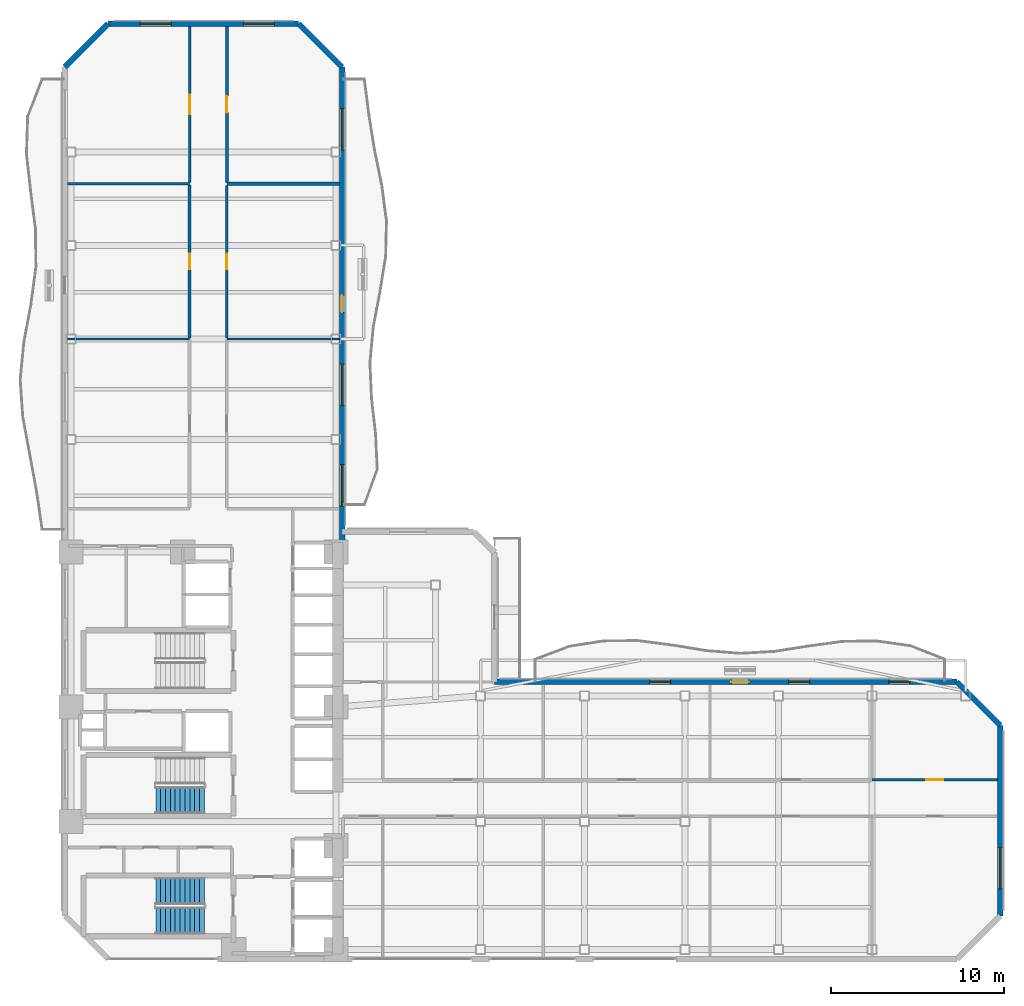
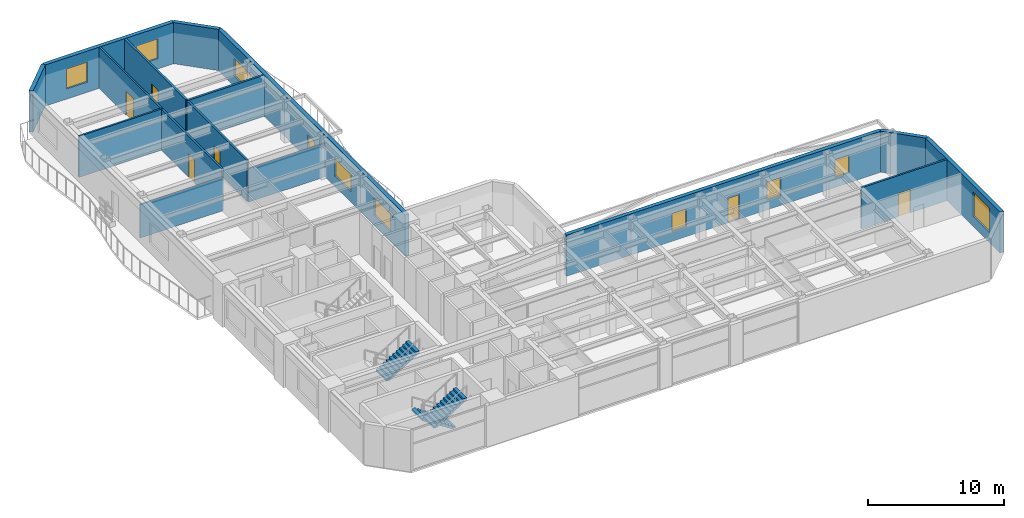
# One storey, part 12 of 17: 16 walls, 9 windows, 7 doors, 3 stair flights, 16 openings, 2 elements without a shape of their own.
"""IFC4 building model written with IfcOpenShell, lengths in metres."""

import ifcopenshell
import ifcopenshell.guid

model = None  # the IFC model being written
_history = None  # IfcOwnerHistory: only IFC2X3 demands one
_inside = {}  # id of a spatial element -> (the spatial element, [elements in it])
_under = {}  # id of a project, library or spatial element -> (it, [spatial elements below it])
_declared = {}  # id of a project -> (the project, [libraries it declares])
_typed = {}  # id of a type object -> (the type object, [elements of that type])
_made_of = {}  # id of a material, layer set ... -> (it, [elements and type objects made of it])


def new_model(schema):
    """Start an empty IFC model of exactly this schema.

    Asked for "IFC4X3", IfcOpenShell would pick the latest addendum, in which some entities
    have other attributes; the version numbers below select the first issue.
    IFC2X3 requires an IfcOwnerHistory on every rooted entity: one is made here for all.
    """
    global model, _history
    if schema == "IFC4X3":
        model = ifcopenshell.file(schema_version=(4, 3, 0, 0))
    else:
        model = ifcopenshell.file(schema=schema)
    _inside.clear()
    _under.clear()
    _declared.clear()
    _typed.clear()
    _made_of.clear()
    _history = None
    if model.schema == "IFC2X3":
        org = make("IfcOrganization", Name="unknown")
        user = make(
            "IfcPersonAndOrganization",
            ThePerson=make("IfcPerson", FamilyName="unknown"),
            TheOrganization=org,
        )
        app = make(
            "IfcApplication",
            ApplicationDeveloper=org,
            Version="unknown",
            ApplicationFullName="unknown",
            ApplicationIdentifier="unknown",
        )
        _history = make(
            "IfcOwnerHistory",
            OwningUser=user,
            OwningApplication=app,
            ChangeAction="ADDED",
            CreationDate=0,
        )
    return model


def make(cls, **values):
    """One entity of the class cls with the attributes given. An attribute that is None is left unset."""
    return model.create_entity(
        cls, **{name: value for name, value in values.items() if value is not None}
    )


def rooted(cls, **values):
    """An entity with a GlobalId (a new one), such as an element, a storey or a relation."""
    return make(cls, GlobalId=ifcopenshell.guid.new(), OwnerHistory=_history, **values)


def si_unit(unit_type, name, prefix=None):
    """IfcSIUnit, for example si_unit("LENGTHUNIT", "METRE", prefix="MILLI")."""
    return make("IfcSIUnit", UnitType=unit_type, Prefix=prefix, Name=name)


def assignment(units):
    """IfcUnitAssignment: the units of a project."""
    return None if units is None else make("IfcUnitAssignment", Units=units)


def point(xyz):
    """IfcCartesianPoint."""
    return None if xyz is None else make("IfcCartesianPoint", Coordinates=xyz)


def direction(xyz):
    """IfcDirection."""
    return None if xyz is None else make("IfcDirection", DirectionRatios=xyz)


def frame(location, z_axis=None, x_axis=None):
    """IfcAxis2Placement3D, a coordinate frame: its origin and axes. An axis left out is left unset."""
    return make(
        "IfcAxis2Placement3D",
        Location=point(location),
        Axis=direction(z_axis),
        RefDirection=direction(x_axis),
    )


def frame_2d(location, x_axis=None):
    """IfcAxis2Placement2D, a coordinate frame in the plane: its origin and x axis."""
    return make(
        "IfcAxis2Placement2D", Location=point(location), RefDirection=direction(x_axis)
    )


def origin():
    """The frame at (0, 0, 0) with its axes left unset."""
    return frame((0.0, 0.0, 0.0))


def place(relative_to, where):
    """IfcLocalPlacement: puts the frame where relative to a parent placement (None: the world)."""
    return make(
        "IfcLocalPlacement", PlacementRelTo=relative_to, RelativePlacement=where
    )


def context(
    kind, dimensions, precision=None, world=None, true_north=None, identifier=None
):
    """IfcGeometricRepresentationContext, for example the 3D "Model" context."""
    return make(
        "IfcGeometricRepresentationContext",
        ContextIdentifier=identifier,
        ContextType=kind,
        CoordinateSpaceDimension=dimensions,
        Precision=precision,
        WorldCoordinateSystem=world,
        TrueNorth=true_north,
    )


def subcontext(parent, identifier, kind, view, scale=None):
    """IfcGeometricRepresentationSubContext, for example "Body" below "Model"."""
    return make(
        "IfcGeometricRepresentationSubContext",
        ContextIdentifier=identifier,
        ContextType=kind,
        ParentContext=parent,
        TargetScale=scale,
        TargetView=view,
    )


def project(units=None, contexts=None):
    """IfcProject with its units and contexts."""
    return rooted(
        "IfcProject",
        Name="project",
        RepresentationContexts=contexts,
        UnitsInContext=assignment(units),
    )


def spatial(cls, under=None, at=None, **own):
    """A site, building, storey or space (cls), placed at a placement, below another one or the project."""
    s = rooted(cls, ObjectPlacement=at, **own)
    if under is not None:
        _under.setdefault(under.id(), (under, []))[1].append(s)
    return s


def polyline(points):
    """IfcPolyline through the points."""
    return make("IfcPolyline", Points=[point(p) for p in points])


def profile(cls, at=None, kind="AREA", **sizes):
    """A parametric profile (cls). Its sizes go by their IFC names, for example OverallWidth=200.0."""
    return make(cls, ProfileType=kind, Position=at, **sizes)


def rectangle(**sizes):
    """IfcRectangleProfileDef."""
    return profile("IfcRectangleProfileDef", **sizes)


def outline(outer, holes=None, kind="AREA"):
    """IfcArbitraryClosedProfileDef: a profile drawn as a closed curve; with holes, ...WithVoids."""
    if holes is None:
        return make("IfcArbitraryClosedProfileDef", ProfileType=kind, OuterCurve=outer)
    return make(
        "IfcArbitraryProfileDefWithVoids",
        ProfileType=kind,
        OuterCurve=outer,
        InnerCurves=holes,
    )


def extrude(swept, where, along, depth):
    """IfcExtrudedAreaSolid: the profile swept, set in the frame where, extruded along a direction by depth."""
    return make(
        "IfcExtrudedAreaSolid",
        SweptArea=swept,
        Position=where,
        ExtrudedDirection=direction(along),
        Depth=depth,
    )


def shape(context_of_items, identifier, shape_type, items):
    """IfcShapeRepresentation: the items that make up one representation, for example the "Body"."""
    return make(
        "IfcShapeRepresentation",
        ContextOfItems=context_of_items,
        RepresentationIdentifier=identifier,
        RepresentationType=shape_type,
        Items=items,
    )


def material(Name=None, Category=None):
    """IfcMaterial."""
    return make("IfcMaterial", Name=Name, Category=Category)


def layer(
    of_material, thickness, ventilated=None, Name=None, Category=None, Priority=None
):
    """IfcMaterialLayer: one layer of a wall or slab, of a material (None: an air gap)."""
    return make(
        "IfcMaterialLayer",
        Material=of_material,
        LayerThickness=thickness,
        IsVentilated=ventilated,
        Name=Name,
        Category=Category,
        Priority=Priority,
    )


def layer_set(layers, Name=None):
    """IfcMaterialLayerSet."""
    return make("IfcMaterialLayerSet", MaterialLayers=layers, LayerSetName=Name)


def made_of(thing, what):
    """Note that an element or type object is made of a material, layer set ...; save() writes the relation."""
    if what is not None:
        _made_of.setdefault(what.id(), (what, []))[1].append(thing)
    return thing


def type_object(cls, material=None, **own):
    """A type object (cls), such as IfcWallType, which elements share."""
    return made_of(rooted(cls, **own), material)


def element(
    cls,
    number,
    at=None,
    inside=None,
    cuts=None,
    type_object=None,
    material=None,
    context=None,
    identifier="Body",
    shape_type=None,
    held_by="IfcProductDefinitionShape",
    body=None,
    shapes=None,
    **own,
):
    """One element of the class cls, such as IfcWall. Its Tag is "e" and its number.

    at: its placement. inside: the storey or other place that contains it. cuts: it is an
    opening in that element (IfcRelVoidsElement). A single representation is given by context,
    identifier, shape_type and body (its items); several are given by shapes. held_by: the class
    of the entity that holds the representations. save() writes the other relations.
    """
    e = rooted(cls, Tag="e%d" % number, ObjectPlacement=at, **own)
    if body is not None:
        shapes = [shape(context, identifier, shape_type, body)]
    if shapes is not None:
        e.Representation = make(held_by, Representations=shapes)
    if inside is not None:
        _inside.setdefault(inside.id(), (inside, []))[1].append(e)
    if cuts is not None:
        rooted(
            "IfcRelVoidsElement", RelatingBuildingElement=cuts, RelatedOpeningElement=e
        )
    if type_object is not None:
        _typed.setdefault(type_object.id(), (type_object, []))[1].append(e)
    return made_of(e, material)


def fill(opening, filler):
    """IfcRelFillsElement: the door or window that sits in an opening."""
    return rooted(
        "IfcRelFillsElement",
        RelatingOpeningElement=opening,
        RelatedBuildingElement=filler,
    )


def aggregate(whole, parts):
    """IfcRelAggregates: a whole, such as a stair, and the parts it consists of."""
    return rooted("IfcRelAggregates", RelatingObject=whole, RelatedObjects=parts)


def save(model, path):
    """Write the relations noted so far, then the file.

    IfcRelAggregates (storeys below a building ...), IfcRelContainedInSpatialStructure (elements
    in a storey), IfcRelDefinesByType, IfcRelAssociatesMaterial and IfcRelDeclares: one each for
    every whole, place, type object, material and project.
    """
    for whole, parts in _under.values():
        aggregate(whole, parts)
    for where, things in _inside.values():
        rooted(
            "IfcRelContainedInSpatialStructure",
            RelatedElements=things,
            RelatingStructure=where,
        )
    for kind, things in _typed.values():
        rooted("IfcRelDefinesByType", RelatedObjects=things, RelatingType=kind)
    for what, things in _made_of.values():
        rooted("IfcRelAssociatesMaterial", RelatedObjects=things, RelatingMaterial=what)
    for by, libraries in _declared.values():
        rooted("IfcRelDeclares", RelatingContext=by, RelatedDefinitions=libraries)
    model.write(path)


model = new_model("IFC4")

# Units and contexts
model_context = context("Model", 3, precision=1e-05, world=origin(), true_north=direction((0.0, 1.0)))
body_context = subcontext(model_context, "Body", "Model", "MODEL_VIEW")
ifc_project = project(units=[si_unit("LENGTHUNIT", "METRE"), si_unit("AREAUNIT", "SQUARE_METRE"), si_unit("VOLUMEUNIT", "CUBIC_METRE"), si_unit("PLANEANGLEUNIT", "RADIAN"), si_unit("MASSUNIT", "GRAM", prefix="KILO")], contexts=[model_context])

# Site, building, storey
site_placement = place(None, origin())
site = spatial("IfcSite", under=ifc_project, at=site_placement, CompositionType="ELEMENT")
building_placement = place(site_placement, origin())
building = spatial("IfcBuilding", under=site, at=building_placement, Name="Mawjaban Terraces University", CompositionType="ELEMENT")
storey_placement = place(building_placement, frame((0.0, 0.0, 85.60009765625)))
storey = spatial("IfcBuildingStorey", under=building, at=storey_placement, Name="L20", CompositionType="ELEMENT", Elevation=85.60009765625)

# Wall
ifc_material_1 = material(Name="Acoustic masonry blockwork", Category="masonry")
ifc_layer_1 = layer(ifc_material_1, 0.179931640625)
ifc_layer_set_1 = layer_set([ifc_layer_1], Name="Acoustic masonry blockwork")
wall_type_1 = type_object("IfcWallType", Name="AcousticStudioWall_180", PredefinedType="PARTITIONING", material=ifc_layer_set_1)
wall_1_placement = place(storey_placement, frame((37.844970703125, 44.760009765625, 0.0), z_axis=(0.0, 0.0, 1.0), x_axis=(-1.0, 0.0, 0.0)))
element("IfcWall", 1, at=wall_1_placement, inside=storey, type_object=wall_type_1, Name="L20 Reading Salon 13 Partition 17", PredefinedType="PARTITIONING", context=body_context, shape_type="SweptSolid", body=[
    extrude(rectangle(XDim=6.494873046875, YDim=0.179931640625, at=frame_2d((3.24755859375, 0.0))), origin(), (0.0, 0.0, 1.0), 3.68994140625),
])

# Wall, opening, door
wall_2_placement = place(storey_placement, frame((31.35009765625, 44.844970703125, 0.0), z_axis=(0.0, 0.0, 1.0), x_axis=(0.0, 1.0, 0.0)))
wall_2 = element("IfcWall", 2, at=wall_2_placement, inside=storey, type_object=wall_type_1, Name="L20 North Academic Spine Corridor Partition 39", PredefinedType="PARTITIONING", context=body_context, shape_type="SweptSolid", body=[
    extrude(rectangle(XDim=9.0, YDim=0.179931640625, at=frame_2d((4.5, 0.0))), origin(), (0.0, 0.0, 1.0), 3.68994140625),
])
opening_1_placement = place(wall_2_placement, frame((4.02490234375, 0.0, 0.0)))
opening_1 = element("IfcOpeningElement", 3, at=opening_1_placement, cuts=wall_2, Name="Opening ID-095", PredefinedType="OPENING", context=body_context, shape_type="SweptSolid", body=[
    extrude(rectangle(XDim=0.949951171875, YDim=2.10009765625, at=frame_2d((0.47509765625, 1.050048828125))), frame((0.0, 0.099853515625, 0.0), z_axis=(0.0, -1.0, 0.0), x_axis=(1.0, 0.0, 0.0)), (0.0, 0.0, 1.0), 0.199951171875),
])
ifc_material_2 = material(Name="Powder-coated steel frame and solid acoustic timber leaf", Category="steel")
door_type_1 = type_object("IfcDoorType", Name="StudioDoor_950x2100", OperationType="NOTDEFINED", PredefinedType="DOOR", material=ifc_material_2)
door_1_placement = place(opening_1_placement, origin())
door_1 = element("IfcDoor", 4, at=door_1_placement, inside=storey, type_object=door_type_1, Name="L20 Design Studio 15 Door", OperationType="SINGLE_SWING_LEFT", OverallHeight=2.10009765625, OverallWidth=0.949951171875, PredefinedType="DOOR", context=body_context, shape_type="SweptSolid", body=[
    extrude(rectangle(XDim=0.949951171875, YDim=2.10009765625, at=frame_2d((0.47509765625, 1.050048828125))), frame((0.0, 0.02490234375, 0.0), z_axis=(0.0, -1.0, 0.0), x_axis=(1.0, 0.0, 0.0)), (0.0, 0.0, 1.0), 0.050048828125),
])
fill(opening_1, door_1)

ifc_material_3 = material(Name="Fire-rated gypsum board on steel stud", Category="steel")
ifc_layer_2 = layer(ifc_material_3, 0.159912109375)
ifc_layer_set_2 = layer_set([ifc_layer_2], Name="Fire-rated gypsum board on steel stud")
wall_type_2 = type_object("IfcWallType", Name="CorridorPartition_160", PredefinedType="PARTITIONING", material=ifc_layer_set_2)
wall_3_placement = place(storey_placement, frame((75.844970703125, 10.35009765625, 0.0), z_axis=(0.0, 0.0, 1.0), x_axis=(-1.0, 0.0, 0.0)))
wall_3 = element("IfcWall", 5, at=wall_3_placement, inside=storey, type_object=wall_type_2, Name="L20 East Academic Spine Corridor Partition 28", PredefinedType="PARTITIONING", context=body_context, shape_type="SweptSolid", body=[
    extrude(rectangle(XDim=7.244873046875, YDim=0.159912109375, at=frame_2d((3.62255859375, 0.0))), origin(), (0.0, 0.0, 1.0), 3.68994140625),
])
opening_2_placement = place(wall_3_placement, frame((3.123046875, 0.0, 0.0)))
opening_2 = element("IfcOpeningElement", 6, at=opening_2_placement, cuts=wall_3, Name="Opening ID-100", PredefinedType="OPENING", context=body_context, shape_type="SweptSolid", body=[
    extrude(rectangle(XDim=1.0, YDim=2.10009765625, at=frame_2d((0.5, 1.050048828125))), frame((0.0, 0.08984375, 0.0), z_axis=(0.0, -1.0, 0.0), x_axis=(1.0, 0.0, 0.0)), (0.0, 0.0, 1.0), 0.179931640625),
])
door_type_2 = type_object("IfcDoorType", Name="ClassroomDoor_1000x2100", OperationType="NOTDEFINED", PredefinedType="DOOR", material=ifc_material_2)
door_2_placement = place(opening_2_placement, origin())
door_2 = element("IfcDoor", 7, at=door_2_placement, inside=storey, type_object=door_type_2, Name="L20 Tutorial Room 9 Door", OperationType="SINGLE_SWING_LEFT", OverallHeight=2.10009765625, OverallWidth=1.0, PredefinedType="DOOR", context=body_context, shape_type="SweptSolid", body=[
    extrude(rectangle(XDim=1.0, YDim=2.10009765625, at=frame_2d((0.5, 1.050048828125))), frame((0.0, 0.02490234375, 0.0), z_axis=(0.0, -1.0, 0.0), x_axis=(1.0, 0.0, 0.0)), (0.0, 0.0, 1.0), 0.050048828125),
])
fill(opening_2, door_2)

wall_4_placement = place(storey_placement, frame((29.199951171875, 44.69189453125, 0.0), z_axis=(0.0, 0.0, 1.0), x_axis=(0.0, -1.0, 0.0)))
wall_4 = element("IfcWall", 8, at=wall_4_placement, inside=storey, type_object=wall_type_2, Name="L20 North Academic Spine Corridor Partition 35", PredefinedType="PARTITIONING", context=body_context, shape_type="SweptSolid", body=[
    extrude(rectangle(XDim=8.8349609375, YDim=0.159912109375, at=frame_2d((4.41748046875, 0.0))), origin(), (0.0, 0.0, 1.0), 3.68994140625),
])
opening_3_placement = place(wall_4_placement, frame((3.968017578125, 0.0, 0.0)))
opening_3 = element("IfcOpeningElement", 9, at=opening_3_placement, cuts=wall_4, Name="Opening ID-090", PredefinedType="OPENING", context=body_context, shape_type="SweptSolid", body=[
    extrude(rectangle(XDim=0.89990234375, YDim=2.10009765625, at=frame_2d((0.449951171875, 1.050048828125))), frame((0.0, 0.08984375, 0.0), z_axis=(0.0, -1.0, 0.0), x_axis=(1.0, 0.0, 0.0)), (0.0, 0.0, 1.0), 0.179931640625),
])
door_type_3 = type_object("IfcDoorType", Name="OfficeDoor_900x2100", OperationType="NOTDEFINED", PredefinedType="DOOR", material=ifc_material_2)
door_3_placement = place(opening_3_placement, origin())
door_3 = element("IfcDoor", 10, at=door_3_placement, inside=storey, type_object=door_type_3, Name="L20 Quiet Reading Room 12 Door", OperationType="SINGLE_SWING_RIGHT", OverallHeight=2.10009765625, OverallWidth=0.89990234375, PredefinedType="DOOR", context=body_context, shape_type="SweptSolid", body=[
    extrude(rectangle(XDim=0.89990234375, YDim=2.10009765625, at=frame_2d((0.449951171875, 1.050048828125))), frame((0.0, 0.02490234375, 0.0), z_axis=(0.0, -1.0, 0.0), x_axis=(1.0, 0.0, 0.0)), (0.0, 0.0, 1.0), 0.050048828125),
])
fill(opening_3, door_3)

wall_5_placement = place(storey_placement, frame((31.35009765625, 35.85693359375, 0.0), z_axis=(0.0, 0.0, 1.0), x_axis=(0.0, 1.0, 0.0)))
wall_5 = element("IfcWall", 11, at=wall_5_placement, inside=storey, type_object=wall_type_2, Name="L20 North Academic Spine Corridor Partition 38", PredefinedType="PARTITIONING", context=body_context, shape_type="SweptSolid", body=[
    extrude(rectangle(XDim=8.818115234375, YDim=0.159912109375, at=frame_2d((4.4091796875, 0.0))), origin(), (0.0, 0.0, 1.0), 3.68994140625),
])
opening_4_placement = place(wall_5_placement, frame((3.958984375, 0.0, 0.0)))
opening_4 = element("IfcOpeningElement", 12, at=opening_4_placement, cuts=wall_5, Name="Opening ID-090", PredefinedType="OPENING", context=body_context, shape_type="SweptSolid", body=[
    extrude(rectangle(XDim=0.89990234375, YDim=2.10009765625, at=frame_2d((0.449951171875, 1.050048828125))), frame((0.0, 0.08984375, 0.0), z_axis=(0.0, -1.0, 0.0), x_axis=(1.0, 0.0, 0.0)), (0.0, 0.0, 1.0), 0.179931640625),
])
door_4_placement = place(opening_4_placement, origin())
door_4 = element("IfcDoor", 13, at=door_4_placement, inside=storey, type_object=door_type_3, Name="L20 Reading Salon 13 Door", OperationType="SINGLE_SWING_LEFT", OverallHeight=2.10009765625, OverallWidth=0.89990234375, PredefinedType="DOOR", context=body_context, shape_type="SweptSolid", body=[
    extrude(rectangle(XDim=0.89990234375, YDim=2.10009765625, at=frame_2d((0.449951171875, 1.050048828125))), frame((0.0, 0.02490234375, 0.0), z_axis=(0.0, -1.0, 0.0), x_axis=(1.0, 0.0, 0.0)), (0.0, 0.0, 1.0), 0.050048828125),
])
fill(opening_4, door_4)

# Wall, opening, window
ifc_material_4 = material(Name="Insulated terracotta rainscreen on concrete backup C40/50", Category="masonry")
ifc_layer_3 = layer(ifc_material_4, 0.320068359375)
ifc_layer_set_3 = layer_set([ifc_layer_3], Name="Insulated terracotta rainscreen on concrete backup C40/50")
wall_type_3 = type_object("IfcWallType", Name="ExtTerracottaWall_320", PredefinedType="SOLIDWALL", material=ifc_layer_set_3)
wall_6_placement = place(storey_placement, frame((76.0, 2.5, 0.0), z_axis=(0.0, 0.0, 1.0), x_axis=(0.0, 1.0, 0.0)))
wall_6 = element("IfcWall", 14, at=wall_6_placement, inside=storey, type_object=wall_type_3, Name="L20 Exterior Terracotta Wall 3", PredefinedType="SOLIDWALL", context=body_context, shape_type="SweptSolid", body=[
    extrude(rectangle(XDim=11.0, YDim=0.320068359375, at=frame_2d((5.5, 0.0))), origin(), (0.0, 0.0, 1.0), 3.68994140625),
])
opening_5_placement = place(wall_6_placement, frame((1.550048828125, 0.0, 0.89990234375)))
opening_5 = element("IfcOpeningElement", 15, at=opening_5_placement, cuts=wall_6, Name="Opening W-11", PredefinedType="OPENING", context=body_context, shape_type="SweptSolid", body=[
    extrude(rectangle(XDim=2.39990234375, YDim=2.199951171875, at=frame_2d((1.199951171875, 1.10009765625))), frame((0.0, 0.169921875, 0.0), z_axis=(0.0, -1.0, 0.0), x_axis=(1.0, 0.0, 0.0)), (0.0, 0.0, 1.0), 0.340087890625),
])
ifc_material_5 = material(Name="Low-E solar-control double glazing in thermally broken aluminium frame", Category="aluminium")
window_type_1 = type_object("IfcWindowType", Name="Win_2400x2200", PartitioningType="SINGLE_PANEL", PredefinedType="WINDOW", material=ifc_material_5)
window_1_placement = place(opening_5_placement, origin())
window_1 = element("IfcWindow", 16, at=window_1_placement, inside=storey, type_object=window_type_1, Name="L20 Facade Window 3.1", OverallHeight=2.199951171875, OverallWidth=2.39990234375, PartitioningType="SINGLE_PANEL", PredefinedType="WINDOW", context=body_context, shape_type="SweptSolid", body=[
    extrude(rectangle(XDim=2.39990234375, YDim=2.199951171875, at=frame_2d((1.199951171875, 1.10009765625))), frame((0.0, 0.030029296875, 0.0), z_axis=(0.0, -1.0, 0.0), x_axis=(1.0, 0.0, 0.0)), (0.0, 0.0, 1.0), 0.06005859375),
])
fill(opening_5, window_1)

# Wall
wall_7_placement = place(storey_placement, frame((76.0, 13.5, 0.0), z_axis=(0.0, 0.0, 1.0), x_axis=(-0.707106781187, 0.707106781187, 0.0)))
element("IfcWall", 17, at=wall_7_placement, inside=storey, type_object=wall_type_3, Name="L20 Exterior Terracotta Wall 4", PredefinedType="SOLIDWALL", context=body_context, shape_type="SweptSolid", body=[
    extrude(rectangle(XDim=3.53564453125, YDim=0.320068359375, at=frame_2d((1.767822265625, 0.0))), origin(), (0.0, 0.0, 1.0), 3.68994140625),
])

# Wall, openings, door, windows
wall_8_placement = place(storey_placement, frame((73.5, 16.0, 0.0), z_axis=(0.0, 0.0, 1.0), x_axis=(-1.0, 0.0, 0.0)))
wall_8 = element("IfcWall", 18, at=wall_8_placement, inside=storey, type_object=wall_type_3, Name="L20 Exterior Terracotta Wall 5", PredefinedType="SOLIDWALL", context=body_context, shape_type="SweptSolid", body=[
    extrude(rectangle(XDim=26.699951171875, YDim=0.320068359375, at=frame_2d((13.35009765625, 0.0))), origin(), (0.0, 0.0, 1.0), 3.68994140625),
])
opening_6_placement = place(wall_8_placement, frame((12.02490234375, 0.0, 0.0)))
opening_6 = element("IfcOpeningElement", 19, at=opening_6_placement, cuts=wall_8, Name="Opening BD-100", PredefinedType="OPENING", context=body_context, shape_type="SweptSolid", body=[
    extrude(rectangle(XDim=1.0, YDim=2.199951171875, at=frame_2d((0.5, 1.10009765625))), frame((0.0, 0.169921875, 0.0), z_axis=(0.0, -1.0, 0.0), x_axis=(1.0, 0.0, 0.0)), (0.0, 0.0, 1.0), 0.340087890625),
])
opening_7_placement = place(wall_8_placement, frame((2.738037109375, 0.0, 0.89990234375)))
opening_7 = element("IfcOpeningElement", 20, at=opening_7_placement, cuts=wall_8, Name="Opening W-01", PredefinedType="OPENING", context=body_context, shape_type="SweptSolid", body=[
    extrude(rectangle(XDim=1.199951171875, YDim=1.60009765625, at=frame_2d((0.60009765625, 0.800048828125))), frame((0.0, 0.169921875, 0.0), z_axis=(0.0, -1.0, 0.0), x_axis=(1.0, 0.0, 0.0)), (0.0, 0.0, 1.0), 0.340087890625),
])
opening_8_placement = place(wall_8_placement, frame((8.512939453125, 0.0, 0.89990234375)))
opening_8 = element("IfcOpeningElement", 21, at=opening_8_placement, cuts=wall_8, Name="Opening W-01", PredefinedType="OPENING", context=body_context, shape_type="SweptSolid", body=[
    extrude(rectangle(XDim=1.199951171875, YDim=1.60009765625, at=frame_2d((0.60009765625, 0.800048828125))), frame((0.0, 0.169921875, 0.0), z_axis=(0.0, -1.0, 0.0), x_axis=(1.0, 0.0, 0.0)), (0.0, 0.0, 1.0), 0.340087890625),
])
opening_9_placement = place(wall_8_placement, frame((16.537109375, 0.0, 0.89990234375)))
opening_9 = element("IfcOpeningElement", 22, at=opening_9_placement, cuts=wall_8, Name="Opening W-01", PredefinedType="OPENING", context=body_context, shape_type="SweptSolid", body=[
    extrude(rectangle(XDim=1.199951171875, YDim=1.60009765625, at=frame_2d((0.60009765625, 0.800048828125))), frame((0.0, 0.169921875, 0.0), z_axis=(0.0, -1.0, 0.0), x_axis=(1.0, 0.0, 0.0)), (0.0, 0.0, 1.0), 0.340087890625),
])
ifc_material_6 = material(Name="Thermally broken anodised aluminium and laminated safety glass", Category="aluminium")
door_type_4 = type_object("IfcDoorType", Name="BalconyGlazedDoor_1000x2200", OperationType="NOTDEFINED", PredefinedType="DOOR", material=ifc_material_6)
door_5_placement = place(opening_6_placement, origin())
door_5 = element("IfcDoor", 23, at=door_5_placement, inside=storey, type_object=door_type_4, Name="L20 Balcony Access Door inner_north", OperationType="SINGLE_SWING_LEFT", OverallHeight=2.199951171875, OverallWidth=1.0, PredefinedType="DOOR", context=body_context, shape_type="SweptSolid", body=[
    extrude(rectangle(XDim=1.0, YDim=2.199951171875, at=frame_2d((0.5, 1.10009765625))), frame((0.0, 0.02490234375, 0.0), z_axis=(0.0, -1.0, 0.0), x_axis=(1.0, 0.0, 0.0)), (0.0, 0.0, 1.0), 0.050048828125),
])
fill(opening_6, door_5)
window_type_2 = type_object("IfcWindowType", Name="Win_1200x1600", PartitioningType="SINGLE_PANEL", PredefinedType="WINDOW", material=ifc_material_5)
window_2_placement = place(opening_7_placement, origin())
window_2 = element("IfcWindow", 24, at=window_2_placement, inside=storey, type_object=window_type_2, Name="L20 Facade Window 5.1", OverallHeight=1.60009765625, OverallWidth=1.199951171875, PartitioningType="SINGLE_PANEL", PredefinedType="WINDOW", context=body_context, shape_type="SweptSolid", body=[
    extrude(rectangle(XDim=1.199951171875, YDim=1.60009765625, at=frame_2d((0.60009765625, 0.800048828125))), frame((0.0, 0.030029296875, 0.0), z_axis=(0.0, -1.0, 0.0), x_axis=(1.0, 0.0, 0.0)), (0.0, 0.0, 1.0), 0.06005859375),
])
fill(opening_7, window_2)
window_3_placement = place(opening_8_placement, origin())
window_3 = element("IfcWindow", 25, at=window_3_placement, inside=storey, type_object=window_type_2, Name="L20 Facade Window 5.2", OverallHeight=1.60009765625, OverallWidth=1.199951171875, PartitioningType="SINGLE_PANEL", PredefinedType="WINDOW", context=body_context, shape_type="SweptSolid", body=[
    extrude(rectangle(XDim=1.199951171875, YDim=1.60009765625, at=frame_2d((0.60009765625, 0.800048828125))), frame((0.0, 0.030029296875, 0.0), z_axis=(0.0, -1.0, 0.0), x_axis=(1.0, 0.0, 0.0)), (0.0, 0.0, 1.0), 0.06005859375),
])
fill(opening_8, window_3)
window_4_placement = place(opening_9_placement, origin())
window_4 = element("IfcWindow", 26, at=window_4_placement, inside=storey, type_object=window_type_2, Name="L20 Facade Window 5.3", OverallHeight=1.60009765625, OverallWidth=1.199951171875, PartitioningType="SINGLE_PANEL", PredefinedType="WINDOW", context=body_context, shape_type="SweptSolid", body=[
    extrude(rectangle(XDim=1.199951171875, YDim=1.60009765625, at=frame_2d((0.60009765625, 0.800048828125))), frame((0.0, 0.030029296875, 0.0), z_axis=(0.0, -1.0, 0.0), x_axis=(1.0, 0.0, 0.0)), (0.0, 0.0, 1.0), 0.06005859375),
])
fill(opening_9, window_4)

wall_9_placement = place(storey_placement, frame((38.0, 24.0, 0.0), z_axis=(0.0, 0.0, 1.0), x_axis=(0.0, 1.0, 0.0)))
wall_9 = element("IfcWall", 27, at=wall_9_placement, inside=storey, type_object=wall_type_3, Name="L20 Exterior Terracotta Wall 9", PredefinedType="SOLIDWALL", context=body_context, shape_type="SweptSolid", body=[
    extrude(rectangle(XDim=27.5, YDim=0.320068359375, at=frame_2d((13.75, 0.0))), origin(), (0.0, 0.0, 1.0), 3.68994140625),
])
opening_10_placement = place(wall_9_placement, frame((13.3330078125, 0.0, 0.0)))
opening_10 = element("IfcOpeningElement", 28, at=opening_10_placement, cuts=wall_9, Name="Opening BD-100", PredefinedType="OPENING", context=body_context, shape_type="SweptSolid", body=[
    extrude(rectangle(XDim=1.0, YDim=2.199951171875, at=frame_2d((0.5, 1.10009765625))), frame((0.0, 0.169921875, 0.0), z_axis=(0.0, -1.0, 0.0), x_axis=(1.0, 0.0, 0.0)), (0.0, 0.0, 1.0), 0.340087890625),
])
opening_11_placement = place(wall_9_placement, frame((2.152099609375, 0.0, 0.89990234375)))
opening_11 = element("IfcOpeningElement", 29, at=opening_11_placement, cuts=wall_9, Name="Opening W-05", PredefinedType="OPENING", context=body_context, shape_type="SweptSolid", body=[
    extrude(rectangle(XDim=2.39990234375, YDim=1.60009765625, at=frame_2d((1.199951171875, 0.800048828125))), frame((0.0, 0.169921875, 0.0), z_axis=(0.0, -1.0, 0.0), x_axis=(1.0, 0.0, 0.0)), (0.0, 0.0, 1.0), 0.340087890625),
])
opening_12_placement = place(wall_9_placement, frame((7.9560546875, 0.0, 0.89990234375)))
opening_12 = element("IfcOpeningElement", 30, at=opening_12_placement, cuts=wall_9, Name="Opening W-05", PredefinedType="OPENING", context=body_context, shape_type="SweptSolid", body=[
    extrude(rectangle(XDim=2.39990234375, YDim=1.60009765625, at=frame_2d((1.199951171875, 0.800048828125))), frame((0.0, 0.169921875, 0.0), z_axis=(0.0, -1.0, 0.0), x_axis=(1.0, 0.0, 0.0)), (0.0, 0.0, 1.0), 0.340087890625),
])
opening_13_placement = place(wall_9_placement, frame((22.712890625, 0.0, 0.89990234375)))
opening_13 = element("IfcOpeningElement", 31, at=opening_13_placement, cuts=wall_9, Name="Opening W-05", PredefinedType="OPENING", context=body_context, shape_type="SweptSolid", body=[
    extrude(rectangle(XDim=2.39990234375, YDim=1.60009765625, at=frame_2d((1.199951171875, 0.800048828125))), frame((0.0, 0.169921875, 0.0), z_axis=(0.0, -1.0, 0.0), x_axis=(1.0, 0.0, 0.0)), (0.0, 0.0, 1.0), 0.340087890625),
])
door_6_placement = place(opening_10_placement, origin())
door_6 = element("IfcDoor", 32, at=door_6_placement, inside=storey, type_object=door_type_4, Name="L20 Balcony Access Door inner_east", OperationType="SINGLE_SWING_LEFT", OverallHeight=2.199951171875, OverallWidth=1.0, PredefinedType="DOOR", context=body_context, shape_type="SweptSolid", body=[
    extrude(rectangle(XDim=1.0, YDim=2.199951171875, at=frame_2d((0.5, 1.10009765625))), frame((0.0, 0.02490234375, 0.0), z_axis=(0.0, -1.0, 0.0), x_axis=(1.0, 0.0, 0.0)), (0.0, 0.0, 1.0), 0.050048828125),
])
fill(opening_10, door_6)
window_type_3 = type_object("IfcWindowType", Name="Win_2400x1600", PartitioningType="SINGLE_PANEL", PredefinedType="WINDOW", material=ifc_material_5)
window_5_placement = place(opening_11_placement, origin())
window_5 = element("IfcWindow", 33, at=window_5_placement, inside=storey, type_object=window_type_3, Name="L20 Facade Window 9.1", OverallHeight=1.60009765625, OverallWidth=2.39990234375, PartitioningType="SINGLE_PANEL", PredefinedType="WINDOW", context=body_context, shape_type="SweptSolid", body=[
    extrude(rectangle(XDim=2.39990234375, YDim=1.60009765625, at=frame_2d((1.199951171875, 0.800048828125))), frame((0.0, 0.030029296875, 0.0), z_axis=(0.0, -1.0, 0.0), x_axis=(1.0, 0.0, 0.0)), (0.0, 0.0, 1.0), 0.06005859375),
])
fill(opening_11, window_5)
window_6_placement = place(opening_12_placement, origin())
window_6 = element("IfcWindow", 34, at=window_6_placement, inside=storey, type_object=window_type_3, Name="L20 Facade Window 9.2", OverallHeight=1.60009765625, OverallWidth=2.39990234375, PartitioningType="SINGLE_PANEL", PredefinedType="WINDOW", context=body_context, shape_type="SweptSolid", body=[
    extrude(rectangle(XDim=2.39990234375, YDim=1.60009765625, at=frame_2d((1.199951171875, 0.800048828125))), frame((0.0, 0.030029296875, 0.0), z_axis=(0.0, -1.0, 0.0), x_axis=(1.0, 0.0, 0.0)), (0.0, 0.0, 1.0), 0.06005859375),
])
fill(opening_12, window_6)
window_7_placement = place(opening_13_placement, origin())
window_7 = element("IfcWindow", 35, at=window_7_placement, inside=storey, type_object=window_type_3, Name="L20 Facade Window 9.4", OverallHeight=1.60009765625, OverallWidth=2.39990234375, PartitioningType="SINGLE_PANEL", PredefinedType="WINDOW", context=body_context, shape_type="SweptSolid", body=[
    extrude(rectangle(XDim=2.39990234375, YDim=1.60009765625, at=frame_2d((1.199951171875, 0.800048828125))), frame((0.0, 0.030029296875, 0.0), z_axis=(0.0, -1.0, 0.0), x_axis=(1.0, 0.0, 0.0)), (0.0, 0.0, 1.0), 0.06005859375),
])
fill(opening_13, window_7)

# Wall
wall_10_placement = place(storey_placement, frame((38.0, 51.5, 0.0), z_axis=(0.0, 0.0, 1.0), x_axis=(-0.707106781187, 0.707106781187, 0.0)))
element("IfcWall", 36, at=wall_10_placement, inside=storey, type_object=wall_type_3, Name="L20 Exterior Terracotta Wall 10", PredefinedType="SOLIDWALL", context=body_context, shape_type="SweptSolid", body=[
    extrude(rectangle(XDim=3.53564453125, YDim=0.320068359375, at=frame_2d((1.767822265625, 0.0))), origin(), (0.0, 0.0, 1.0), 3.68994140625),
])

# Wall, openings, windows
wall_11_placement = place(storey_placement, frame((35.5, 54.0, 0.0), z_axis=(0.0, 0.0, 1.0), x_axis=(-1.0, 0.0, 0.0)))
wall_11 = element("IfcWall", 37, at=wall_11_placement, inside=storey, type_object=wall_type_3, Name="L20 Exterior Terracotta Wall 11", PredefinedType="SOLIDWALL", context=body_context, shape_type="SweptSolid", body=[
    extrude(rectangle(XDim=11.0, YDim=0.320068359375, at=frame_2d((5.5, 0.0))), origin(), (0.0, 0.0, 1.0), 3.68994140625),
])
opening_14_placement = place(wall_11_placement, frame((1.39990234375, 0.0, 0.89990234375)))
opening_14 = element("IfcOpeningElement", 38, at=opening_14_placement, cuts=wall_11, Name="Opening W-07", PredefinedType="OPENING", context=body_context, shape_type="SweptSolid", body=[
    extrude(rectangle(XDim=1.800048828125, YDim=1.800048828125, at=frame_2d((0.89990234375, 0.89990234375))), frame((0.0, 0.169921875, 0.0), z_axis=(0.0, -1.0, 0.0), x_axis=(1.0, 0.0, 0.0)), (0.0, 0.0, 1.0), 0.340087890625),
])
opening_15_placement = place(wall_11_placement, frame((7.35009765625, 0.0, 0.89990234375)))
opening_15 = element("IfcOpeningElement", 39, at=opening_15_placement, cuts=wall_11, Name="Opening W-07", PredefinedType="OPENING", context=body_context, shape_type="SweptSolid", body=[
    extrude(rectangle(XDim=1.800048828125, YDim=1.800048828125, at=frame_2d((0.89990234375, 0.89990234375))), frame((0.0, 0.169921875, 0.0), z_axis=(0.0, -1.0, 0.0), x_axis=(1.0, 0.0, 0.0)), (0.0, 0.0, 1.0), 0.340087890625),
])
window_type_4 = type_object("IfcWindowType", Name="Win_1800x1800", PartitioningType="SINGLE_PANEL", PredefinedType="WINDOW", material=ifc_material_5)
window_8_placement = place(opening_14_placement, origin())
window_8 = element("IfcWindow", 40, at=window_8_placement, inside=storey, type_object=window_type_4, Name="L20 Facade Window 11.1", OverallHeight=1.800048828125, OverallWidth=1.800048828125, PartitioningType="SINGLE_PANEL", PredefinedType="WINDOW", context=body_context, shape_type="SweptSolid", body=[
    extrude(rectangle(XDim=1.800048828125, YDim=1.800048828125, at=frame_2d((0.89990234375, 0.89990234375))), frame((0.0, 0.030029296875, 0.0), z_axis=(0.0, -1.0, 0.0), x_axis=(1.0, 0.0, 0.0)), (0.0, 0.0, 1.0), 0.06005859375),
])
fill(opening_14, window_8)
window_9_placement = place(opening_15_placement, origin())
window_9 = element("IfcWindow", 41, at=window_9_placement, inside=storey, type_object=window_type_4, Name="L20 Facade Window 11.2", OverallHeight=1.800048828125, OverallWidth=1.800048828125, PartitioningType="SINGLE_PANEL", PredefinedType="WINDOW", context=body_context, shape_type="SweptSolid", body=[
    extrude(rectangle(XDim=1.800048828125, YDim=1.800048828125, at=frame_2d((0.89990234375, 0.89990234375))), frame((0.0, 0.030029296875, 0.0), z_axis=(0.0, -1.0, 0.0), x_axis=(1.0, 0.0, 0.0)), (0.0, 0.0, 1.0), 0.06005859375),
])
fill(opening_15, window_9)

# Walls
wall_12_placement = place(storey_placement, frame((24.5, 54.0, 0.0), z_axis=(0.0, 0.0, 1.0), x_axis=(-0.707106781187, -0.707106781187, 0.0)))
element("IfcWall", 42, at=wall_12_placement, inside=storey, type_object=wall_type_3, Name="L20 Exterior Terracotta Wall 12", PredefinedType="SOLIDWALL", context=body_context, shape_type="SweptSolid", body=[
    extrude(rectangle(XDim=3.53564453125, YDim=0.320068359375, at=frame_2d((1.767822265625, 0.0))), origin(), (0.0, 0.0, 1.0), 3.68994140625),
])
ifc_material_7 = material(Name="Moisture-resistant gypsum board on steel stud", Category="steel")
ifc_layer_4 = layer(ifc_material_7, 0.14501953125)
ifc_layer_set_4 = layer_set([ifc_layer_4], Name="Moisture-resistant gypsum board on steel stud")
wall_type_4 = type_object("IfcWallType", Name="LabPartition_145", PredefinedType="PARTITIONING", material=ifc_layer_set_4)
wall_13_placement = place(storey_placement, frame((29.199951171875, 44.760009765625, 0.0), z_axis=(0.0, 0.0, 1.0), x_axis=(-1.0, 0.0, 0.0)))
element("IfcWall", 43, at=wall_13_placement, inside=storey, type_object=wall_type_4, Name="L20 Quiet Reading Room 12 Partition 11", PredefinedType="PARTITIONING", context=body_context, shape_type="SweptSolid", body=[
    extrude(rectangle(XDim=7.044921875, YDim=0.14501953125, at=frame_2d((3.5224609375, 0.0))), origin(), (0.0, 0.0, 1.0), 3.68994140625),
])

# Wall, opening, door
wall_14_placement = place(storey_placement, frame((29.199951171875, 53.844970703125, 0.0), z_axis=(0.0, 0.0, 1.0), x_axis=(0.0, -1.0, 0.0)))
wall_14 = element("IfcWall", 44, at=wall_14_placement, inside=storey, type_object=wall_type_4, Name="L20 North Academic Spine Corridor Partition 36", PredefinedType="PARTITIONING", context=body_context, shape_type="SweptSolid", body=[
    extrude(rectangle(XDim=9.01708984375, YDim=0.14501953125, at=frame_2d((4.508544921875, 0.0))), origin(), (0.0, 0.0, 1.0), 3.68994140625),
])
opening_16_placement = place(wall_14_placement, frame((3.9580078125, 0.0, 0.0)))
opening_16 = element("IfcOpeningElement", 45, at=opening_16_placement, cuts=wall_14, Name="Opening ID-110", PredefinedType="OPENING", context=body_context, shape_type="SweptSolid", body=[
    extrude(rectangle(XDim=1.10009765625, YDim=2.14990234375, at=frame_2d((0.550048828125, 1.074951171875))), frame((0.0, 0.08251953125, 0.0), z_axis=(0.0, -1.0, 0.0), x_axis=(1.0, 0.0, 0.0)), (0.0, 0.0, 1.0), 0.1650390625),
])
door_type_5 = type_object("IfcDoorType", Name="LabDoor_1100x2150", OperationType="NOTDEFINED", PredefinedType="DOOR", material=ifc_material_2)
door_7_placement = place(opening_16_placement, origin())
door_7 = element("IfcDoor", 46, at=door_7_placement, inside=storey, type_object=door_type_5, Name="L20 Teaching Laboratory 14 Door", OperationType="SINGLE_SWING_RIGHT", OverallHeight=2.14990234375, OverallWidth=1.10009765625, PredefinedType="DOOR", context=body_context, shape_type="SweptSolid", body=[
    extrude(rectangle(XDim=1.10009765625, YDim=2.14990234375, at=frame_2d((0.550048828125, 1.074951171875))), frame((0.0, 0.02490234375, 0.0), z_axis=(0.0, -1.0, 0.0), x_axis=(1.0, 0.0, 0.0)), (0.0, 0.0, 1.0), 0.050048828125),
])
fill(opening_16, door_7)

# Walls
ifc_material_8 = material(Name="Gypsum plasterboard on steel stud", Category="steel")
ifc_layer_5 = layer(ifc_material_8, 0.125)
ifc_layer_set_5 = layer_set([ifc_layer_5], Name="Gypsum plasterboard on steel stud")
wall_type_5 = type_object("IfcWallType", Name="OfficePartition_125", PredefinedType="PARTITIONING", material=ifc_layer_set_5)
wall_15_placement = place(storey_placement, frame((29.199951171875, 35.800048828125, 0.0), z_axis=(0.0, 0.0, 1.0), x_axis=(-1.0, 0.0, 0.0)))
element("IfcWall", 47, at=wall_15_placement, inside=storey, type_object=wall_type_5, Name="L20 Student Tea Pantry 10 Partition 10", PredefinedType="PARTITIONING", context=body_context, shape_type="SweptSolid", body=[
    extrude(rectangle(XDim=7.044921875, YDim=0.125, at=frame_2d((3.5224609375, 0.0))), origin(), (0.0, 0.0, 1.0), 2.994873046875),
])
wall_16_placement = place(storey_placement, frame((37.844970703125, 35.800048828125, 0.0), z_axis=(0.0, 0.0, 1.0), x_axis=(-1.0, 0.0, 0.0)))
element("IfcWall", 48, at=wall_16_placement, inside=storey, type_object=wall_type_5, Name="L20 Student Tea Pantry 11 Partition 16", PredefinedType="PARTITIONING", context=body_context, shape_type="SweptSolid", body=[
    extrude(rectangle(XDim=6.494873046875, YDim=0.125, at=frame_2d((3.24755859375, 0.0))), origin(), (0.0, 0.0, 1.0), 2.994873046875),
])

# Stair, stair flights
ifc_material_9 = material(Name="Concrete C40/50", Category="concrete")
stair_type = type_object("IfcStairType", Name="Stair_Core1550_H39", PredefinedType="HALF_TURN_STAIR", material=ifc_material_9)
stair_1_placement = place(storey_placement, origin())
stair_1 = element("IfcStair", 49, at=stair_1_placement, inside=storey, type_object=stair_type, Name="L20 Core Exit Stair 1", PredefinedType="HALF_TURN_STAIR")
stair_flight_type = type_object("IfcStairFlightType", Name="Flight_Core1550_H39", PredefinedType="STRAIGHT", material=ifc_material_9)
stair_flight_1_placement = place(storey_placement, frame((30.050048828125, 3.925048828125, 0.0), z_axis=(0.0, 0.0, 1.0), x_axis=(-1.0, 0.0, 0.0)))
stair_flight_1 = element("IfcStairFlight", 50, at=stair_flight_1_placement, type_object=stair_flight_type, Name="ST-1 flight 1", NumberOfRisers=11, NumberOfTreads=10, PredefinedType="STRAIGHT", RiserHeight=0.177272727, TreadLength=0.28, context=body_context, shape_type="SweptSolid", body=[
    extrude(outline(polyline([(0.0, 0.0), (0.0, 0.17724609375), (0.280029296875, 0.17724609375), (0.280029296875, 0.3544921875), (0.56005859375, 0.3544921875), (0.56005859375, 0.53173828125), (0.840087890625, 0.53173828125), (0.840087890625, 0.708984375), (1.1201171875, 0.708984375), (1.1201171875, 0.886474609375), (1.39990234375, 0.886474609375), (1.39990234375, 1.063720703125), (1.679931640625, 1.063720703125), (1.679931640625, 1.240966796875), (1.9599609375, 1.240966796875), (1.9599609375, 1.418212890625), (2.239990234375, 1.418212890625), (2.239990234375, 1.595458984375), (2.52001953125, 1.595458984375), (2.52001953125, 1.772705078125), (2.800048828125, 1.772705078125), (2.800048828125, 1.949951171875), (2.800048828125, 1.59521484375), (0.2802734375, 0.0), (0.0, 0.0)])), frame((0.0, 0.77490234375, 0.0), z_axis=(0.0, -1.0, 0.0), x_axis=(1.0, 0.0, 0.0)), (0.0, 0.0, 1.0), 1.550048828125),
])
stair_flight_2_placement = place(storey_placement, frame((27.25, 2.22509765625, 1.949951171875), z_axis=(0.0, 0.0, 1.0), x_axis=(1.0, 0.0, 0.0)))
stair_flight_2 = element("IfcStairFlight", 51, at=stair_flight_2_placement, type_object=stair_flight_type, Name="ST-1 flight 2", NumberOfRisers=11, NumberOfTreads=10, PredefinedType="STRAIGHT", RiserHeight=0.177272727, TreadLength=0.28, context=body_context, shape_type="SweptSolid", body=[
    extrude(outline(polyline([(0.0, 0.0), (0.0, 0.17724609375), (0.280029296875, 0.17724609375), (0.280029296875, 0.3544921875), (0.56005859375, 0.3544921875), (0.56005859375, 0.53173828125), (0.840087890625, 0.53173828125), (0.840087890625, 0.708984375), (1.1201171875, 0.708984375), (1.1201171875, 0.886474609375), (1.39990234375, 0.886474609375), (1.39990234375, 1.063720703125), (1.679931640625, 1.063720703125), (1.679931640625, 1.240966796875), (1.9599609375, 1.240966796875), (1.9599609375, 1.418212890625), (2.239990234375, 1.418212890625), (2.239990234375, 1.595458984375), (2.52001953125, 1.595458984375), (2.52001953125, 1.772705078125), (2.800048828125, 1.772705078125), (2.800048828125, 1.949951171875), (2.800048828125, 1.59521484375), (0.2802734375, 0.0), (0.0, 0.0)])), frame((0.0, 0.77490234375, 0.0), z_axis=(0.0, -1.0, 0.0), x_axis=(1.0, 0.0, 0.0)), (0.0, 0.0, 1.0), 1.550048828125),
])
aggregate(stair_1, [stair_flight_1, stair_flight_2])

# Stair, stair flight
stair_2_placement = place(storey_placement, origin())
stair_2 = element("IfcStair", 52, at=stair_2_placement, inside=storey, type_object=stair_type, Name="L20 Core Exit Stair 3", PredefinedType="HALF_TURN_STAIR")
stair_flight_3_placement = place(storey_placement, frame((27.25, 9.175048828125, 1.949951171875), z_axis=(0.0, 0.0, 1.0), x_axis=(1.0, 0.0, 0.0)))
stair_flight_3 = element("IfcStairFlight", 53, at=stair_flight_3_placement, type_object=stair_flight_type, Name="ST-3 flight 2", NumberOfRisers=11, NumberOfTreads=10, PredefinedType="STRAIGHT", RiserHeight=0.177272727, TreadLength=0.28, context=body_context, shape_type="SweptSolid", body=[
    extrude(outline(polyline([(0.0, 0.0), (0.0, 0.17724609375), (0.280029296875, 0.17724609375), (0.280029296875, 0.3544921875), (0.56005859375, 0.3544921875), (0.56005859375, 0.53173828125), (0.840087890625, 0.53173828125), (0.840087890625, 0.708984375), (1.1201171875, 0.708984375), (1.1201171875, 0.886474609375), (1.39990234375, 0.886474609375), (1.39990234375, 1.063720703125), (1.679931640625, 1.063720703125), (1.679931640625, 1.240966796875), (1.9599609375, 1.240966796875), (1.9599609375, 1.418212890625), (2.239990234375, 1.418212890625), (2.239990234375, 1.595458984375), (2.52001953125, 1.595458984375), (2.52001953125, 1.772705078125), (2.800048828125, 1.772705078125), (2.800048828125, 1.949951171875), (2.800048828125, 1.59521484375), (0.2802734375, 0.0), (0.0, 0.0)])), frame((0.0, 0.77490234375, 0.0), z_axis=(0.0, -1.0, 0.0), x_axis=(1.0, 0.0, 0.0)), (0.0, 0.0, 1.0), 1.550048828125),
])
aggregate(stair_2, [stair_flight_3])

save(model, "model.ifc")
